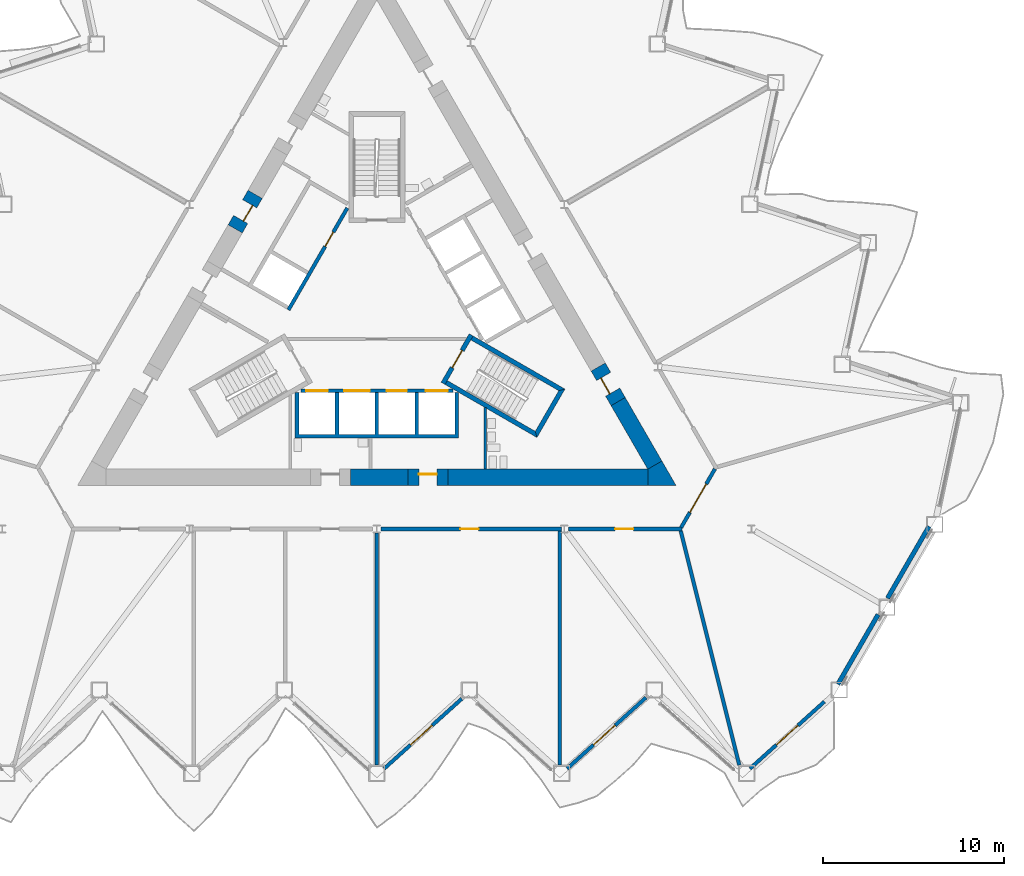
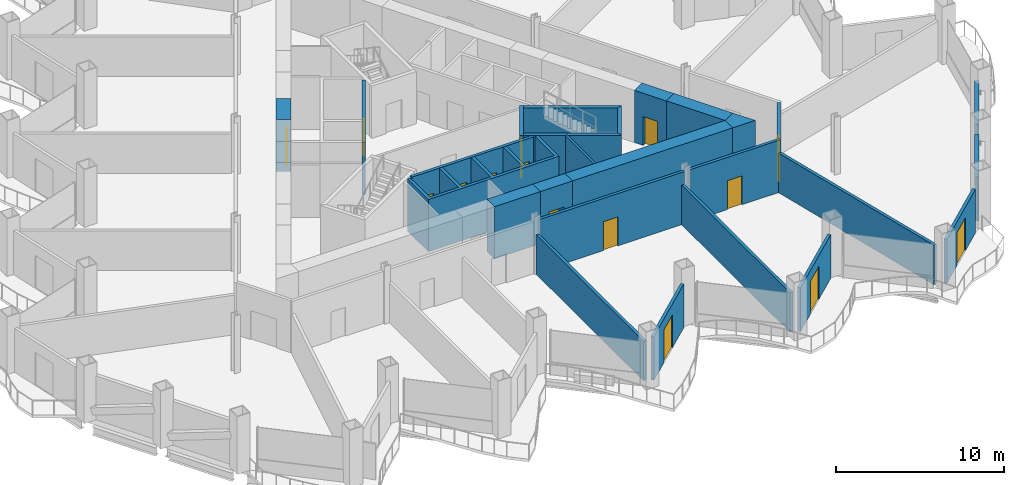
# One storey, part 11 of 21: 26 walls, 15 doors, 15 openings.
"""IFC4 building model written with IfcOpenShell, lengths in metres."""

from ifc_helpers import new_model, si_unit, direction, frame, frame_2d, origin, place, context, subcontext, project, spatial, polyline, rectangle, outline, extrude, material, layer, layer_set, type_object, element, fill, save


model = new_model("IFC4")

# Units and contexts
model_context = context("Model", 3, precision=1e-05, world=origin(), true_north=direction((0.0, 1.0)))
body_context = subcontext(model_context, "Body", "Model", "MODEL_VIEW")
ifc_project = project(units=[si_unit("LENGTHUNIT", "METRE"), si_unit("AREAUNIT", "SQUARE_METRE"), si_unit("VOLUMEUNIT", "CUBIC_METRE"), si_unit("PLANEANGLEUNIT", "RADIAN"), si_unit("MASSUNIT", "GRAM", prefix="KILO")], contexts=[model_context])

# Site, building, storey
site_placement = place(None, origin())
site = spatial("IfcSite", under=ifc_project, at=site_placement, CompositionType="ELEMENT")
building_placement = place(site_placement, origin())
building = spatial("IfcBuilding", under=site, at=building_placement, Name="Cormorant Prow Tower", CompositionType="ELEMENT")
storey_placement = place(building_placement, frame((0.0, 0.0, 124.800048828125)))
storey = spatial("IfcBuildingStorey", under=building, at=storey_placement, Name="L26", CompositionType="ELEMENT", Elevation=124.800048828125)

# Walls
ifc_material_1 = material(Name="Gypsum board partition")
ifc_layer_1 = layer(ifc_material_1, 0.14990234375)
ifc_layer_set_1 = layer_set([ifc_layer_1], Name="Gypsum board partition")
wall_type_1 = type_object("IfcWallType", Name="Core partition 150", PredefinedType="PARTITIONING", material=ifc_layer_set_1)
wall_1_placement = place(storey_placement, frame((5.9765625, -8.626220703125, 0.0), z_axis=(0.0, 0.0, 1.0), x_axis=(0.0, 1.0, 0.0)))
element("IfcWall", 1, at=wall_1_placement, inside=storey, type_object=wall_type_1, Name="Service room partition", PredefinedType="PARTITIONING", context=body_context, shape_type="SweptSolid", body=[
    extrude(rectangle(XDim=3.40283203125, YDim=0.14990234375, at=frame_2d((1.701416015625, 0.0))), origin(), (0.0, 0.0, 1.0), 3.800048828125),
])
ifc_material_2 = material(Name="Concrete 8000 psi", Category="concrete")
ifc_layer_2 = layer(ifc_material_2, 0.89990234375)
ifc_layer_set_2 = layer_set([ifc_layer_2], Name="Concrete 8000 psi")
wall_type_2 = type_object("IfcWallType", Name="Core shear wall 900", PredefinedType="SHEAR", material=ifc_layer_set_2)
wall_2_placement = place(storey_placement, frame((3.91259765625, -9.076416015625, 0.0), z_axis=(0.0, 0.0, 1.0), x_axis=(1.0, 0.0, 0.0)))
element("IfcWall", 2, at=wall_2_placement, inside=storey, type_object=wall_type_2, Name="Core wall", PredefinedType="SHEAR", context=body_context, shape_type="SweptSolid", body=[
    extrude(rectangle(XDim=11.028564453125, YDim=0.89990234375, at=frame_2d((5.51416015625, 0.0))), origin(), (0.0, 0.0, 1.0), 3.800048828125),
])
wall_3_placement = place(storey_placement, frame((-1.466064453125, -9.076416015625, 0.0), z_axis=(0.0, 0.0, 1.0), x_axis=(1.0, 0.0, 0.0)))
element("IfcWall", 3, at=wall_3_placement, inside=storey, type_object=wall_type_2, Name="Core wall", PredefinedType="SHEAR", context=body_context, shape_type="SweptSolid", body=[
    extrude(rectangle(XDim=3.1787109375, YDim=0.89990234375, at=frame_2d((1.58935546875, 0.0))), origin(), (0.0, 0.0, 1.0), 3.800048828125),
])
wall_4_placement = place(storey_placement, frame((15.330810546875, -8.4013671875, 0.0), z_axis=(0.0, 0.0, 1.0), x_axis=(-0.499974938593, 0.866039872511, 0.0)))
element("IfcWall", 4, at=wall_4_placement, inside=storey, type_object=wall_type_2, Name="Core wall", PredefinedType="SHEAR", context=body_context, shape_type="SweptSolid", body=[
    extrude(rectangle(XDim=4.045654296875, YDim=0.89990234375, at=frame_2d((2.02294921875, 0.0))), origin(), (0.0, 0.0, 1.0), 3.800048828125),
])
wall_5_placement = place(storey_placement, origin())
element("IfcWall", 5, at=wall_5_placement, inside=storey, type_object=wall_type_2, Name="Core wall corner", PredefinedType="SHEAR", context=body_context, shape_type="SweptSolid", body=[
    extrude(outline(polyline([(14.941162109375, -8.626220703125), (15.720703125, -8.17626953125), (16.5, -9.5263671875), (14.941162109375, -9.5263671875), (14.941162109375, -8.626220703125)])), origin(), (0.0, 0.0, 1.0), 3.800048828125),
])

# Wall, opening, door
wall_6_placement = place(storey_placement, frame((1.712646484375, -9.076416015625, 0.0), z_axis=(0.0, 0.0, 1.0), x_axis=(1.0, 0.0, 0.0)))
wall_6 = element("IfcWall", 6, at=wall_6_placement, inside=storey, type_object=wall_type_2, Name="Core wall door panel", PredefinedType="SHEAR", context=body_context, shape_type="SweptSolid", body=[
    extrude(rectangle(XDim=2.199951171875, YDim=0.89990234375, at=frame_2d((1.10009765625, 0.0))), origin(), (0.0, 0.0, 1.0), 3.800048828125),
])
opening_1_placement = place(wall_6_placement, frame((0.60009765625, 0.0, 0.0)))
opening_1 = element("IfcOpeningElement", 7, at=opening_1_placement, cuts=wall_6, Name="Opening L26-C15", PredefinedType="OPENING", context=body_context, shape_type="SweptSolid", body=[
    extrude(rectangle(XDim=1.0, YDim=2.10009765625, at=frame_2d((0.5, 1.050048828125))), frame((0.0, 0.4599609375, 0.0), z_axis=(0.0, -1.0, 0.0), x_axis=(1.0, 0.0, 0.0)), (0.0, 0.0, 1.0), 0.919921875),
])
ifc_material_3 = material(Name="Painted steel", Category="steel")
door_type_1 = type_object("IfcDoorType", Name="Service door 1000x2100", OperationType="NOTDEFINED", PredefinedType="DOOR", material=ifc_material_3)
door_1_placement = place(opening_1_placement, origin())
door_1 = element("IfcDoor", 8, at=door_1_placement, inside=storey, type_object=door_type_1, Name="Core door, Electrical room", OperationType="SINGLE_SWING_RIGHT", OverallHeight=2.10009765625, OverallWidth=1.0, PredefinedType="DOOR", context=body_context, shape_type="SweptSolid", body=[
    extrude(rectangle(XDim=1.0, YDim=2.10009765625, at=frame_2d((0.5, 1.050048828125))), frame((0.0, 0.205078125, 0.0), z_axis=(0.0, -1.0, 0.0), x_axis=(1.0, 0.0, 0.0)), (0.0, 0.0, 1.0), 0.050048828125),
])
fill(opening_1, door_1)

wall_7_placement = place(storey_placement, frame((13.30810546875, -4.897705078125, 0.0), z_axis=(0.0, 0.0, 1.0), x_axis=(-0.50002983664, 0.866008176907, 0.0)))
wall_7 = element("IfcWall", 9, at=wall_7_placement, inside=storey, type_object=wall_type_2, Name="Core wall door panel", PredefinedType="SHEAR", context=body_context, shape_type="SweptSolid", body=[
    extrude(rectangle(XDim=2.199951171875, YDim=0.89990234375, at=frame_2d((1.10009765625, 0.0))), origin(), (0.0, 0.0, 1.0), 3.800048828125),
])
opening_2_placement = place(wall_7_placement, frame((0.60009765625, 0.0, 0.0)))
opening_2 = element("IfcOpeningElement", 10, at=opening_2_placement, cuts=wall_7, Name="Opening L26-C17", PredefinedType="OPENING", context=body_context, shape_type="SweptSolid", body=[
    extrude(rectangle(XDim=1.0, YDim=2.10009765625, at=frame_2d((0.5, 1.050048828125))), frame((0.0, 0.4599609375, 0.0), z_axis=(0.0, -1.0, 0.0), x_axis=(1.0, 0.0, 0.0)), (0.0, 0.0, 1.0), 0.919921875),
])
door_2_placement = place(opening_2_placement, origin())
door_2 = element("IfcDoor", 11, at=door_2_placement, inside=storey, type_object=door_type_1, Name="Core door, Toilets (women) L26", OperationType="SINGLE_SWING_RIGHT", OverallHeight=2.10009765625, OverallWidth=1.0, PredefinedType="DOOR", context=body_context, shape_type="SweptSolid", body=[
    extrude(rectangle(XDim=1.0, YDim=2.10009765625, at=frame_2d((0.5, 1.050048828125))), frame((0.0, 0.205078125, 0.0), z_axis=(0.0, -1.0, 0.0), x_axis=(1.0, 0.0, 0.0)), (0.0, 0.0, 1.0), 0.050048828125),
])
fill(opening_2, door_2)

wall_8_placement = place(storey_placement, frame((-6.710205078125, 6.530029296875, 0.0), z_axis=(0.0, 0.0, 1.0), x_axis=(-0.50002983664, -0.866008176907, 0.0)))
wall_8 = element("IfcWall", 12, at=wall_8_placement, inside=storey, type_object=wall_type_2, Name="Core wall door panel", PredefinedType="SHEAR", context=body_context, shape_type="SweptSolid", body=[
    extrude(rectangle(XDim=2.199951171875, YDim=0.89990234375, at=frame_2d((1.10009765625, 0.0))), origin(), (0.0, 0.0, 1.0), 3.800048828125),
])
opening_3_placement = place(wall_8_placement, frame((0.60009765625, 0.0, 0.0)))
opening_3 = element("IfcOpeningElement", 13, at=opening_3_placement, cuts=wall_8, Name="Opening L26-C19", PredefinedType="OPENING", context=body_context, shape_type="SweptSolid", body=[
    extrude(rectangle(XDim=1.0, YDim=2.10009765625, at=frame_2d((0.5, 1.050048828125))), frame((0.0, 0.4599609375, 0.0), z_axis=(0.0, -1.0, 0.0), x_axis=(1.0, 0.0, 0.0)), (0.0, 0.0, 1.0), 0.919921875),
])
door_3_placement = place(opening_3_placement, origin())
door_3 = element("IfcDoor", 14, at=door_3_placement, inside=storey, type_object=door_type_1, Name="Core door, Electrical room", OperationType="SINGLE_SWING_LEFT", OverallHeight=2.10009765625, OverallWidth=1.0, PredefinedType="DOOR", context=body_context, shape_type="SweptSolid", body=[
    extrude(rectangle(XDim=1.0, YDim=2.10009765625, at=frame_2d((0.5, 1.050048828125))), frame((0.0, 0.205078125, 0.0), z_axis=(0.0, -1.0, 0.0), x_axis=(1.0, 0.0, 0.0)), (0.0, 0.0, 1.0), 0.050048828125),
])
fill(opening_3, door_3)

ifc_material_4 = material(Name="Gypsum board corridor wall")
ifc_layer_3 = layer(ifc_material_4, 0.199951171875)
ifc_layer_set_3 = layer_set([ifc_layer_3], Name="Gypsum board corridor wall")
wall_type_3 = type_object("IfcWallType", Name="Corridor wall 200", PredefinedType="PARTITIONING", material=ifc_layer_set_3)
wall_9_placement = place(storey_placement, frame((0.227294921875, -11.92626953125, 0.0), z_axis=(0.0, 0.0, 1.0), x_axis=(1.0, 0.0, 0.0)))
wall_9 = element("IfcWall", 15, at=wall_9_placement, inside=storey, type_object=wall_type_3, Name="Corridor wall", PredefinedType="PARTITIONING", context=body_context, shape_type="SweptSolid", body=[
    extrude(rectangle(XDim=9.969482421875, YDim=0.199951171875, at=frame_2d((4.98486328125, 0.0))), origin(), (0.0, 0.0, 1.0), 3.800048828125),
])
opening_4_placement = place(wall_9_placement, frame((4.3837890625, 0.0, 0.0)))
opening_4 = element("IfcOpeningElement", 16, at=opening_4_placement, cuts=wall_9, Name="Opening L26-F04", PredefinedType="OPENING", context=body_context, shape_type="SweptSolid", body=[
    extrude(rectangle(XDim=1.0, YDim=2.10009765625, at=frame_2d((0.5, 1.050048828125))), frame((0.0, 0.10986328125, 0.0), z_axis=(0.0, -1.0, 0.0), x_axis=(1.0, 0.0, 0.0)), (0.0, 0.0, 1.0), 0.219970703125),
])
ifc_material_5 = material(Name="Timber door leaf", Category="wood")
door_type_2 = type_object("IfcDoorType", Name="Office door 1000x2100", OperationType="NOTDEFINED", PredefinedType="DOOR", material=ifc_material_5)
door_4_placement = place(opening_4_placement, origin())
door_4 = element("IfcDoor", 17, at=door_4_placement, inside=storey, type_object=door_type_2, Name="Tenant suite door", OperationType="SINGLE_SWING_RIGHT", OverallHeight=2.10009765625, OverallWidth=1.0, PredefinedType="DOOR", context=body_context, shape_type="SweptSolid", body=[
    extrude(rectangle(XDim=1.0, YDim=2.10009765625, at=frame_2d((0.5, 1.050048828125))), frame((0.0, 0.02490234375, 0.0), z_axis=(0.0, -1.0, 0.0), x_axis=(1.0, 0.0, 0.0)), (0.0, 0.0, 1.0), 0.050048828125),
])
fill(opening_4, door_4)

wall_10_placement = place(storey_placement, frame((10.555908203125, -11.92626953125, 0.0), z_axis=(0.0, 0.0, 1.0), x_axis=(1.0, 0.0, 0.0)))
wall_10 = element("IfcWall", 18, at=wall_10_placement, inside=storey, type_object=wall_type_3, Name="Corridor wall", PredefinedType="PARTITIONING", context=body_context, shape_type="SweptSolid", body=[
    extrude(rectangle(XDim=6.27490234375, YDim=0.199951171875, at=frame_2d((3.137451171875, 0.0))), origin(), (0.0, 0.0, 1.0), 3.800048828125),
])
opening_5_placement = place(wall_10_placement, frame((2.586669921875, 0.0, 0.0)))
opening_5 = element("IfcOpeningElement", 19, at=opening_5_placement, cuts=wall_10, Name="Opening L26-F05", PredefinedType="OPENING", context=body_context, shape_type="SweptSolid", body=[
    extrude(rectangle(XDim=1.0, YDim=2.10009765625, at=frame_2d((0.5, 1.050048828125))), frame((0.0, 0.10986328125, 0.0), z_axis=(0.0, -1.0, 0.0), x_axis=(1.0, 0.0, 0.0)), (0.0, 0.0, 1.0), 0.219970703125),
])
door_5_placement = place(opening_5_placement, origin())
door_5 = element("IfcDoor", 20, at=door_5_placement, inside=storey, type_object=door_type_2, Name="Tenant suite door", OperationType="SINGLE_SWING_RIGHT", OverallHeight=2.10009765625, OverallWidth=1.0, PredefinedType="DOOR", context=body_context, shape_type="SweptSolid", body=[
    extrude(rectangle(XDim=1.0, YDim=2.10009765625, at=frame_2d((0.5, 1.050048828125))), frame((0.0, 0.02490234375, 0.0), z_axis=(0.0, -1.0, 0.0), x_axis=(1.0, 0.0, 0.0)), (0.0, 0.0, 1.0), 0.050048828125),
])
fill(opening_5, door_5)

wall_11_placement = place(storey_placement, frame((16.781005859375, -11.839599609375, 0.0), z_axis=(0.0, 0.0, 1.0), x_axis=(0.499958791762, 0.866049194065, 0.0)))
wall_11 = element("IfcWall", 21, at=wall_11_placement, inside=storey, type_object=wall_type_3, Name="Corridor wall", PredefinedType="PARTITIONING", context=body_context, shape_type="SweptSolid", body=[
    extrude(rectangle(XDim=3.725830078125, YDim=0.199951171875, at=frame_2d((1.86279296875, 0.0))), origin(), (0.0, 0.0, 1.0), 3.800048828125),
])
opening_6_placement = place(wall_11_placement, frame((0.962890625, 0.0, 0.0)))
opening_6 = element("IfcOpeningElement", 22, at=opening_6_placement, cuts=wall_11, Name="Opening L26-F06", PredefinedType="OPENING", context=body_context, shape_type="SweptSolid", body=[
    extrude(rectangle(XDim=1.800048828125, YDim=2.10009765625, at=frame_2d((0.89990234375, 1.050048828125))), frame((0.0, 0.10986328125, 0.0), z_axis=(0.0, -1.0, 0.0), x_axis=(1.0, 0.0, 0.0)), (0.0, 0.0, 1.0), 0.219970703125),
])
ifc_material_6 = material(Name="Timber door leaf", Category="wood")
door_type_3 = type_object("IfcDoorType", Name="Double door 1800x2100", OperationType="DOUBLE_DOOR_SINGLE_SWING", PredefinedType="DOOR", material=ifc_material_6)
door_6_placement = place(opening_6_placement, origin())
door_6 = element("IfcDoor", 23, at=door_6_placement, inside=storey, type_object=door_type_3, Name="Trading room door", OperationType="DOUBLE_DOOR_SINGLE_SWING", OverallHeight=2.10009765625, OverallWidth=1.800048828125, PredefinedType="DOOR", context=body_context, shape_type="SweptSolid", body=[
    extrude(rectangle(XDim=1.800048828125, YDim=2.10009765625, at=frame_2d((0.89990234375, 1.050048828125))), frame((0.0, 0.02490234375, 0.0), z_axis=(0.0, -1.0, 0.0), x_axis=(1.0, 0.0, 0.0)), (0.0, 0.0, 1.0), 0.050048828125),
])
fill(opening_6, door_6)

# Walls
ifc_material_7 = material(Name="Gypsum board demising wall")
ifc_layer_4 = layer(ifc_material_7, 0.199951171875)
ifc_layer_set_4 = layer_set([ifc_layer_4], Name="Gypsum board demising wall")
wall_type_4 = type_object("IfcWallType", Name="Demising wall 200", PredefinedType="PARTITIONING", material=ifc_layer_set_4)
wall_12_placement = place(storey_placement, frame((16.755126953125, -12.023193359375, 0.0), z_axis=(0.0, 0.0, 1.0), x_axis=(0.242708204495, -0.97009933897, 0.0)))
element("IfcWall", 24, at=wall_12_placement, inside=storey, type_object=wall_type_4, Name="Demising wall", PredefinedType="PARTITIONING", context=body_context, shape_type="SweptSolid", body=[
    extrude(rectangle(XDim=13.314208984375, YDim=0.199951171875, at=frame_2d((6.6572265625, 0.0))), origin(), (0.0, 0.0, 1.0), 2.88525390625),
])
wall_13_placement = place(storey_placement, frame((10.0869140625, -24.939208984375, 0.0), z_axis=(0.0, 0.0, 1.0), x_axis=(0.0, 1.0, 0.0)))
element("IfcWall", 25, at=wall_13_placement, inside=storey, type_object=wall_type_4, Name="Demising wall", PredefinedType="PARTITIONING", context=body_context, shape_type="SweptSolid", body=[
    extrude(rectangle(XDim=12.912841796875, YDim=0.199951171875, at=frame_2d((6.45654296875, 0.0))), origin(), (0.0, 0.0, 1.0), 2.88525390625),
])
wall_14_placement = place(storey_placement, frame((0.0, -24.939208984375, 0.0), z_axis=(0.0, 0.0, 1.0), x_axis=(0.0, 1.0, 0.0)))
element("IfcWall", 26, at=wall_14_placement, inside=storey, type_object=wall_type_4, Name="Demising wall", PredefinedType="PARTITIONING", context=body_context, shape_type="SweptSolid", body=[
    extrude(rectangle(XDim=12.785400390625, YDim=0.199951171875, at=frame_2d((6.392578125, 0.0))), origin(), (0.0, 0.0, 1.0), 2.88525390625),
])

# Wall, openings, doors
ifc_material_8 = material(Name="Concrete 5000 psi", Category="concrete")
ifc_layer_5 = layer(ifc_material_8, 0.199951171875)
ifc_layer_set_5 = layer_set([ifc_layer_5], Name="Concrete 5000 psi")
wall_type_5 = type_object("IfcWallType", Name="Lift lobby wall 200", PredefinedType="SOLIDWALL", material=ifc_layer_set_5)
wall_15_placement = place(storey_placement, frame((-4.1865234375, -4.300048828125, 0.0), z_axis=(0.0, 0.0, 1.0), x_axis=(1.0, 0.0, 0.0)))
wall_15 = element("IfcWall", 27, at=wall_15_placement, inside=storey, type_object=wall_type_5, Name="Lift lobby wall, S block", PredefinedType="SOLIDWALL", context=body_context, shape_type="SweptSolid", body=[
    extrude(rectangle(XDim=8.373046875, YDim=0.199951171875, at=frame_2d((4.1865234375, 0.0))), origin(), (0.0, 0.0, 1.0), 3.800048828125),
])
opening_7_placement = place(wall_15_placement, frame((0.28662109375, 0.0, 0.0)))
opening_7 = element("IfcOpeningElement", 28, at=opening_7_placement, cuts=wall_15, Name="Opening L26-C01", PredefinedType="OPENING", context=body_context, shape_type="SweptSolid", body=[
    extrude(rectangle(XDim=1.199951171875, YDim=2.10009765625, at=frame_2d((0.60009765625, 1.050048828125))), frame((0.0, 0.10986328125, 0.0), z_axis=(0.0, -1.0, 0.0), x_axis=(1.0, 0.0, 0.0)), (0.0, 0.0, 1.0), 0.219970703125),
])
opening_8_placement = place(wall_15_placement, frame((2.38671875, 0.0, 0.0)))
opening_8 = element("IfcOpeningElement", 29, at=opening_8_placement, cuts=wall_15, Name="Opening L26-C02", PredefinedType="OPENING", context=body_context, shape_type="SweptSolid", body=[
    extrude(rectangle(XDim=1.39990234375, YDim=2.10009765625, at=frame_2d((0.699951171875, 1.050048828125))), frame((0.0, 0.10986328125, 0.0), z_axis=(0.0, -1.0, 0.0), x_axis=(1.0, 0.0, 0.0)), (0.0, 0.0, 1.0), 0.219970703125),
])
opening_9_placement = place(wall_15_placement, frame((4.736572265625, 0.0, 0.0)))
opening_9 = element("IfcOpeningElement", 30, at=opening_9_placement, cuts=wall_15, Name="Opening L26-C03", PredefinedType="OPENING", context=body_context, shape_type="SweptSolid", body=[
    extrude(rectangle(XDim=1.10009765625, YDim=2.10009765625, at=frame_2d((0.550048828125, 1.050048828125))), frame((0.0, 0.10986328125, 0.0), z_axis=(0.0, -1.0, 0.0), x_axis=(1.0, 0.0, 0.0)), (0.0, 0.0, 1.0), 0.219970703125),
])
opening_10_placement = place(wall_15_placement, frame((6.88671875, 0.0, 0.0)))
opening_10 = element("IfcOpeningElement", 31, at=opening_10_placement, cuts=wall_15, Name="Opening L26-C04", PredefinedType="OPENING", context=body_context, shape_type="SweptSolid", body=[
    extrude(rectangle(XDim=1.199951171875, YDim=2.10009765625, at=frame_2d((0.60009765625, 1.050048828125))), frame((0.0, 0.10986328125, 0.0), z_axis=(0.0, -1.0, 0.0), x_axis=(1.0, 0.0, 0.0)), (0.0, 0.0, 1.0), 0.219970703125),
])
ifc_material_9 = material(Name="Painted steel", Category="steel")
door_type_4 = type_object("IfcDoorType", Name="Firefighting lift landing door 1200x2100", OperationType="SLIDING_TO_LEFT", PredefinedType="DOOR", material=ifc_material_9)
door_7_placement = place(opening_7_placement, origin())
door_7 = element("IfcDoor", 32, at=door_7_placement, inside=storey, type_object=door_type_4, Name="Landing door FL1", OperationType="SLIDING_TO_LEFT", OverallHeight=2.10009765625, OverallWidth=1.199951171875, PredefinedType="DOOR", context=body_context, shape_type="SweptSolid", body=[
    extrude(rectangle(XDim=1.199951171875, YDim=2.10009765625, at=frame_2d((0.60009765625, 1.050048828125))), frame((0.0, 0.02490234375, 0.0), z_axis=(0.0, -1.0, 0.0), x_axis=(1.0, 0.0, 0.0)), (0.0, 0.0, 1.0), 0.050048828125),
])
fill(opening_7, door_7)
door_8_placement = place(opening_10_placement, origin())
door_8 = element("IfcDoor", 33, at=door_8_placement, inside=storey, type_object=door_type_4, Name="Landing door FL2", OperationType="SLIDING_TO_LEFT", OverallHeight=2.10009765625, OverallWidth=1.199951171875, PredefinedType="DOOR", context=body_context, shape_type="SweptSolid", body=[
    extrude(rectangle(XDim=1.199951171875, YDim=2.10009765625, at=frame_2d((0.60009765625, 1.050048828125))), frame((0.0, 0.02490234375, 0.0), z_axis=(0.0, -1.0, 0.0), x_axis=(1.0, 0.0, 0.0)), (0.0, 0.0, 1.0), 0.050048828125),
])
fill(opening_10, door_8)
ifc_material_10 = material(Name="Painted steel", Category="steel")
door_type_5 = type_object("IfcDoorType", Name="Lift landing door 1100x2100", OperationType="SLIDING_TO_LEFT", PredefinedType="DOOR", material=ifc_material_10)
door_9_placement = place(opening_9_placement, origin())
door_9 = element("IfcDoor", 34, at=door_9_placement, inside=storey, type_object=door_type_5, Name="Landing door LR1", OperationType="SLIDING_TO_LEFT", OverallHeight=2.10009765625, OverallWidth=1.10009765625, PredefinedType="DOOR", context=body_context, shape_type="SweptSolid", body=[
    extrude(rectangle(XDim=1.10009765625, YDim=2.10009765625, at=frame_2d((0.550048828125, 1.050048828125))), frame((0.0, 0.02490234375, 0.0), z_axis=(0.0, -1.0, 0.0), x_axis=(1.0, 0.0, 0.0)), (0.0, 0.0, 1.0), 0.050048828125),
])
fill(opening_9, door_9)
ifc_material_11 = material(Name="Painted steel", Category="steel")
door_type_6 = type_object("IfcDoorType", Name="Service lift landing door 1400x2100", OperationType="SLIDING_TO_LEFT", PredefinedType="DOOR", material=ifc_material_11)
door_10_placement = place(opening_8_placement, origin())
door_10 = element("IfcDoor", 35, at=door_10_placement, inside=storey, type_object=door_type_6, Name="Landing door SL1", OperationType="SLIDING_TO_LEFT", OverallHeight=2.10009765625, OverallWidth=1.39990234375, PredefinedType="DOOR", context=body_context, shape_type="SweptSolid", body=[
    extrude(rectangle(XDim=1.39990234375, YDim=2.10009765625, at=frame_2d((0.699951171875, 1.050048828125))), frame((0.0, 0.02490234375, 0.0), z_axis=(0.0, -1.0, 0.0), x_axis=(1.0, 0.0, 0.0)), (0.0, 0.0, 1.0), 0.050048828125),
])
fill(opening_8, door_10)

# Wall, opening, door
wall_16_placement = place(storey_placement, frame((-1.630615234375, 5.775634765625, 0.0), z_axis=(0.0, 0.0, 1.0), x_axis=(-0.499992876559, -0.866029516466, 0.0)))
wall_16 = element("IfcWall", 36, at=wall_16_placement, inside=storey, type_object=wall_type_5, Name="Lift lobby wall, WNW block", PredefinedType="SOLIDWALL", context=body_context, shape_type="SweptSolid", body=[
    extrude(rectangle(XDim=6.486328125, YDim=0.199951171875, at=frame_2d((3.2431640625, 0.0))), origin(), (0.0, 0.0, 1.0), 3.800048828125),
])
opening_11_placement = place(wall_16_placement, frame((1.53662109375, 0.0, 0.0)))
opening_11 = element("IfcOpeningElement", 37, at=opening_11_placement, cuts=wall_16, Name="Opening L26-C09", PredefinedType="OPENING", context=body_context, shape_type="SweptSolid", body=[
    extrude(rectangle(XDim=0.89990234375, YDim=2.10009765625, at=frame_2d((0.449951171875, 1.050048828125))), frame((0.0, 0.10986328125, 0.0), z_axis=(0.0, -1.0, 0.0), x_axis=(1.0, 0.0, 0.0)), (0.0, 0.0, 1.0), 0.219970703125),
])
ifc_material_12 = material(Name="Painted steel", Category="steel")
door_type_7 = type_object("IfcDoorType", Name="Service door 900x2100", OperationType="NOTDEFINED", PredefinedType="DOOR", material=ifc_material_12)
door_11_placement = place(opening_11_placement, origin())
door_11 = element("IfcDoor", 38, at=door_11_placement, inside=storey, type_object=door_type_7, Name="Service door, Pantry store", OperationType="SINGLE_SWING_LEFT", OverallHeight=2.10009765625, OverallWidth=0.89990234375, PredefinedType="DOOR", context=body_context, shape_type="SweptSolid", body=[
    extrude(rectangle(XDim=0.89990234375, YDim=2.10009765625, at=frame_2d((0.449951171875, 1.050048828125))), frame((0.0, 0.02490234375, 0.0), z_axis=(0.0, -1.0, 0.0), x_axis=(1.0, 0.0, 0.0)), (0.0, 0.0, 1.0), 0.050048828125),
])
fill(opening_11, door_11)

# Walls
ifc_material_13 = material(Name="Concrete 8000 psi", Category="concrete")
ifc_layer_6 = layer(ifc_material_13, 0.199951171875)
ifc_layer_set_6 = layer_set([ifc_layer_6], Name="Concrete 8000 psi")
wall_type_6 = type_object("IfcWallType", Name="Lift shaft wall 200", PredefinedType="SHEAR", material=ifc_layer_set_6)
wall_17_placement = place(storey_placement, origin())
element("IfcWall", 39, at=wall_17_placement, inside=storey, type_object=wall_type_6, Name="Lift shaft walls, S block", PredefinedType="SHEAR", context=body_context, shape_type="SweptSolid", body=[
    extrude(outline(polyline([(4.5, -4.39990234375), (4.5, -6.906005859375), (-4.5, -6.906005859375), (-4.5, -4.39990234375), (-4.300048828125, -4.39990234375), (-4.300048828125, -6.699951171875), (-2.300048828125, -6.699951171875), (-2.300048828125, -4.39990234375), (-2.10009765625, -4.39990234375), (-2.10009765625, -6.699951171875), (-0.10009765625, -6.699951171875), (-0.10009765625, -4.39990234375), (0.10009765625, -4.39990234375), (0.10009765625, -6.699951171875), (2.10009765625, -6.699951171875), (2.10009765625, -4.39990234375), (2.300048828125, -4.39990234375), (2.300048828125, -6.699951171875), (4.300048828125, -6.699951171875), (4.300048828125, -4.39990234375), (4.5, -4.39990234375)])), origin(), (0.0, 0.0, 1.0), 3.800048828125),
])
ifc_material_14 = material(Name="Concrete 8000 psi", Category="concrete")
ifc_layer_7 = layer(ifc_material_14, 0.25)
ifc_layer_set_7 = layer_set([ifc_layer_7], Name="Concrete 8000 psi")
wall_type_7 = type_object("IfcWallType", Name="Stair wall 250", PredefinedType="SHEAR", material=ifc_layer_set_7)
wall_18_placement = place(storey_placement, origin())
element("IfcWall", 40, at=wall_18_placement, inside=storey, type_object=wall_type_7, Name="Stair ST2 enclosure wall (flank)", PredefinedType="SHEAR", context=body_context, shape_type="SweptSolid", body=[
    extrude(outline(polyline([(3.76318359375, -3.95556640625), (8.82958984375, -6.880615234375), (8.738037109375, -6.5390625), (3.88818359375, -3.739013671875), (3.76318359375, -3.95556640625)])), origin(), (0.0, 0.0, 1.0), 3.800048828125),
])
wall_19_placement = place(storey_placement, origin())
element("IfcWall", 41, at=wall_19_placement, inside=storey, type_object=wall_type_7, Name="Stair ST2 enclosure wall (end)", PredefinedType="SHEAR", context=body_context, shape_type="SweptSolid", body=[
    extrude(outline(polyline([(8.82958984375, -6.880615234375), (10.37353515625, -4.206298828125), (10.031982421875, -4.2978515625), (8.738037109375, -6.5390625), (8.82958984375, -6.880615234375)])), origin(), (0.0, 0.0, 1.0), 3.800048828125),
])
wall_20_placement = place(storey_placement, origin())
element("IfcWall", 42, at=wall_20_placement, inside=storey, type_object=wall_type_7, Name="Stair ST2 enclosure wall (flank)", PredefinedType="SHEAR", context=body_context, shape_type="SweptSolid", body=[
    extrude(outline(polyline([(10.031982421875, -4.2978515625), (10.37353515625, -4.206298828125), (5.30712890625, -1.28125), (5.18212890625, -1.497802734375), (10.031982421875, -4.2978515625)])), origin(), (0.0, 0.0, 1.0), 3.800048828125),
])

# Wall, opening, door
wall_21_placement = place(storey_placement, frame((3.655029296875, -3.89306640625, 0.0), z_axis=(0.0, 0.0, 1.0), x_axis=(0.499982516597, 0.866035497597, 0.0)))
wall_21 = element("IfcWall", 43, at=wall_21_placement, inside=storey, type_object=wall_type_7, Name="Stair ST2 door wall", PredefinedType="SHEAR", context=body_context, shape_type="SweptSolid", body=[
    extrude(rectangle(XDim=3.087890625, YDim=0.25, at=frame_2d((1.5439453125, 0.0))), origin(), (0.0, 0.0, 1.0), 3.800048828125),
])
opening_12_placement = place(wall_21_placement, frame((0.993896484375, 0.0, 0.0)))
opening_12 = element("IfcOpeningElement", 44, at=opening_12_placement, cuts=wall_21, Name="Opening L26-C12", PredefinedType="OPENING", context=body_context, shape_type="SweptSolid", body=[
    extrude(rectangle(XDim=1.10009765625, YDim=2.10009765625, at=frame_2d((0.550048828125, 1.050048828125))), frame((0.0, 0.135009765625, 0.0), z_axis=(0.0, -1.0, 0.0), x_axis=(1.0, 0.0, 0.0)), (0.0, 0.0, 1.0), 0.27001953125),
])
ifc_material_15 = material(Name="Painted steel", Category="steel")
door_type_8 = type_object("IfcDoorType", Name="Stair door 1100x2100", OperationType="NOTDEFINED", PredefinedType="DOOR", material=ifc_material_15)
door_12_placement = place(opening_12_placement, origin())
door_12 = element("IfcDoor", 45, at=door_12_placement, inside=storey, type_object=door_type_8, Name="Stair ST2 door", OperationType="SINGLE_SWING_RIGHT", OverallHeight=2.10009765625, OverallWidth=1.10009765625, PredefinedType="DOOR", context=body_context, shape_type="SweptSolid", body=[
    extrude(rectangle(XDim=1.10009765625, YDim=2.10009765625, at=frame_2d((0.550048828125, 1.050048828125))), frame((0.0, 0.02490234375, 0.0), z_axis=(0.0, -1.0, 0.0), x_axis=(1.0, 0.0, 0.0)), (0.0, 0.0, 1.0), 0.050048828125),
])
fill(opening_12, door_12)

# Walls
ifc_material_16 = material(Name="Terracotta", Category="masonry")
ifc_layer_8 = layer(ifc_material_16, 0.25)
ifc_layer_set_8 = layer_set([ifc_layer_8], Name="Terracotta")
wall_type_8 = type_object("IfcWallType", Name="Terracotta bay wall 250", PredefinedType="SOLIDWALL", material=ifc_layer_set_8)
wall_22_placement = place(storey_placement, frame((25.4267578125, -20.482666015625, 0.0), z_axis=(0.0, 0.0, 1.0), x_axis=(0.499968989506, 0.866043306961, 0.0)))
element("IfcWall", 46, at=wall_22_placement, inside=storey, type_object=wall_type_8, Name="Terracotta bay wall ESE00", PredefinedType="SOLIDWALL", context=body_context, shape_type="SweptSolid", body=[
    extrude(rectangle(XDim=4.428955078125, YDim=0.25, at=frame_2d((2.21435546875, 0.0))), origin(), (0.0, 0.0, 1.0), 3.18896484375),
])
wall_23_placement = place(storey_placement, frame((28.162841796875, -15.743408203125, 0.0), z_axis=(0.0, 0.0, 1.0), x_axis=(0.500016357846, 0.866015959371, 0.0)))
element("IfcWall", 47, at=wall_23_placement, inside=storey, type_object=wall_type_8, Name="Terracotta bay wall ESE01", PredefinedType="SOLIDWALL", context=body_context, shape_type="SweptSolid", body=[
    extrude(rectangle(XDim=4.577880859375, YDim=0.25, at=frame_2d((2.2890625, 0.0))), origin(), (0.0, 0.0, 1.0), 3.18896484375),
])

# Wall, opening, door
ifc_material_17 = material(Name="Terracotta", Category="masonry")
ifc_layer_9 = layer(ifc_material_17, 0.199951171875)
ifc_layer_set_9 = layer_set([ifc_layer_9], Name="Terracotta")
wall_type_9 = type_object("IfcWallType", Name="Terracotta jamb wall 200", PredefinedType="SOLIDWALL", material=ifc_layer_set_9)
wall_24_placement = place(storey_placement, frame((0.40576171875, -25.13720703125, 0.0), z_axis=(0.0, 0.0, 1.0), x_axis=(0.743135897471, 0.669140521782, 0.0)))
wall_24 = element("IfcWall", 48, at=wall_24_placement, inside=storey, type_object=wall_type_9, Name="Terracotta jamb wall S05", PredefinedType="SOLIDWALL", context=body_context, shape_type="SweptSolid", body=[
    extrude(rectangle(XDim=5.754150390625, YDim=0.199951171875, at=frame_2d((2.876953125, 0.0))), origin(), (0.0, 0.0, 1.0), 3.18896484375),
])
opening_13_placement = place(wall_24_placement, frame((1.957275390625, 0.0, 0.0)))
opening_13 = element("IfcOpeningElement", 49, at=opening_13_placement, cuts=wall_24, Name="Opening ED26.03", PredefinedType="OPENING", context=body_context, shape_type="SweptSolid", body=[
    extrude(rectangle(XDim=1.60009765625, YDim=2.39990234375, at=frame_2d((0.800048828125, 1.199951171875))), frame((0.0, 0.10986328125, 0.0), z_axis=(0.0, -1.0, 0.0), x_axis=(1.0, 0.0, 0.0)), (0.0, 0.0, 1.0), 0.219970703125),
])
ifc_material_18 = material(Name="Aluminium 6063-T6", Category="aluminium")
door_type_9 = type_object("IfcDoorType", Name="Balcony door 1600x2400", OperationType="DOUBLE_DOOR_SINGLE_SWING", PredefinedType="DOOR", material=ifc_material_18)
door_13_placement = place(opening_13_placement, origin())
door_13 = element("IfcDoor", 50, at=door_13_placement, inside=storey, type_object=door_type_9, Name="Balcony door S05 ED26.03", OperationType="DOUBLE_DOOR_SINGLE_SWING", OverallHeight=2.39990234375, OverallWidth=1.60009765625, PredefinedType="DOOR", context=body_context, shape_type="SweptSolid", body=[
    extrude(rectangle(XDim=1.60009765625, YDim=2.39990234375, at=frame_2d((0.800048828125, 1.199951171875))), frame((0.0, 0.02490234375, 0.0), z_axis=(0.0, -1.0, 0.0), x_axis=(1.0, 0.0, 0.0)), (0.0, 0.0, 1.0), 0.050048828125),
])
fill(opening_13, door_13)

wall_25_placement = place(storey_placement, frame((10.492431640625, -25.13720703125, 0.0), z_axis=(0.0, 0.0, 1.0), x_axis=(0.743136230799, 0.669140151593, 0.0)))
wall_25 = element("IfcWall", 51, at=wall_25_placement, inside=storey, type_object=wall_type_9, Name="Terracotta jamb wall S07", PredefinedType="SOLIDWALL", context=body_context, shape_type="SweptSolid", body=[
    extrude(rectangle(XDim=5.84326171875, YDim=0.199951171875, at=frame_2d((2.921630859375, 0.0))), origin(), (0.0, 0.0, 1.0), 3.18896484375),
])
opening_14_placement = place(wall_25_placement, frame((1.957275390625, 0.0, 0.0)))
opening_14 = element("IfcOpeningElement", 52, at=opening_14_placement, cuts=wall_25, Name="Opening ED26.04", PredefinedType="OPENING", context=body_context, shape_type="SweptSolid", body=[
    extrude(rectangle(XDim=1.60009765625, YDim=2.39990234375, at=frame_2d((0.800048828125, 1.199951171875))), frame((0.0, 0.10986328125, 0.0), z_axis=(0.0, -1.0, 0.0), x_axis=(1.0, 0.0, 0.0)), (0.0, 0.0, 1.0), 0.219970703125),
])
door_14_placement = place(opening_14_placement, origin())
door_14 = element("IfcDoor", 53, at=door_14_placement, inside=storey, type_object=door_type_9, Name="Balcony door S07 ED26.04", OperationType="DOUBLE_DOOR_SINGLE_SWING", OverallHeight=2.39990234375, OverallWidth=1.60009765625, PredefinedType="DOOR", context=body_context, shape_type="SweptSolid", body=[
    extrude(rectangle(XDim=1.60009765625, YDim=2.39990234375, at=frame_2d((0.800048828125, 1.199951171875))), frame((0.0, 0.02490234375, 0.0), z_axis=(0.0, -1.0, 0.0), x_axis=(1.0, 0.0, 0.0)), (0.0, 0.0, 1.0), 0.050048828125),
])
fill(opening_14, door_14)

wall_26_placement = place(storey_placement, frame((20.579345703125, -25.13720703125, 0.0), z_axis=(0.0, 0.0, 1.0), x_axis=(0.743148838472, 0.66912614945, 0.0)))
wall_26 = element("IfcWall", 54, at=wall_26_placement, inside=storey, type_object=wall_type_9, Name="Terracotta jamb wall S09", PredefinedType="SOLIDWALL", context=body_context, shape_type="SweptSolid", body=[
    extrude(rectangle(XDim=5.5146484375, YDim=0.199951171875, at=frame_2d((2.75732421875, 0.0))), origin(), (0.0, 0.0, 1.0), 3.18896484375),
])
opening_15_placement = place(wall_26_placement, frame((1.957275390625, 0.0, 0.0)))
opening_15 = element("IfcOpeningElement", 55, at=opening_15_placement, cuts=wall_26, Name="Opening ED26.05", PredefinedType="OPENING", context=body_context, shape_type="SweptSolid", body=[
    extrude(rectangle(XDim=1.60009765625, YDim=2.39990234375, at=frame_2d((0.800048828125, 1.199951171875))), frame((0.0, 0.10986328125, 0.0), z_axis=(0.0, -1.0, 0.0), x_axis=(1.0, 0.0, 0.0)), (0.0, 0.0, 1.0), 0.219970703125),
])
door_15_placement = place(opening_15_placement, origin())
door_15 = element("IfcDoor", 56, at=door_15_placement, inside=storey, type_object=door_type_9, Name="Balcony door S09 ED26.05", OperationType="DOUBLE_DOOR_SINGLE_SWING", OverallHeight=2.39990234375, OverallWidth=1.60009765625, PredefinedType="DOOR", context=body_context, shape_type="SweptSolid", body=[
    extrude(rectangle(XDim=1.60009765625, YDim=2.39990234375, at=frame_2d((0.800048828125, 1.199951171875))), frame((0.0, 0.02490234375, 0.0), z_axis=(0.0, -1.0, 0.0), x_axis=(1.0, 0.0, 0.0)), (0.0, 0.0, 1.0), 0.050048828125),
])
fill(opening_15, door_15)

save(model, "model.ifc")
